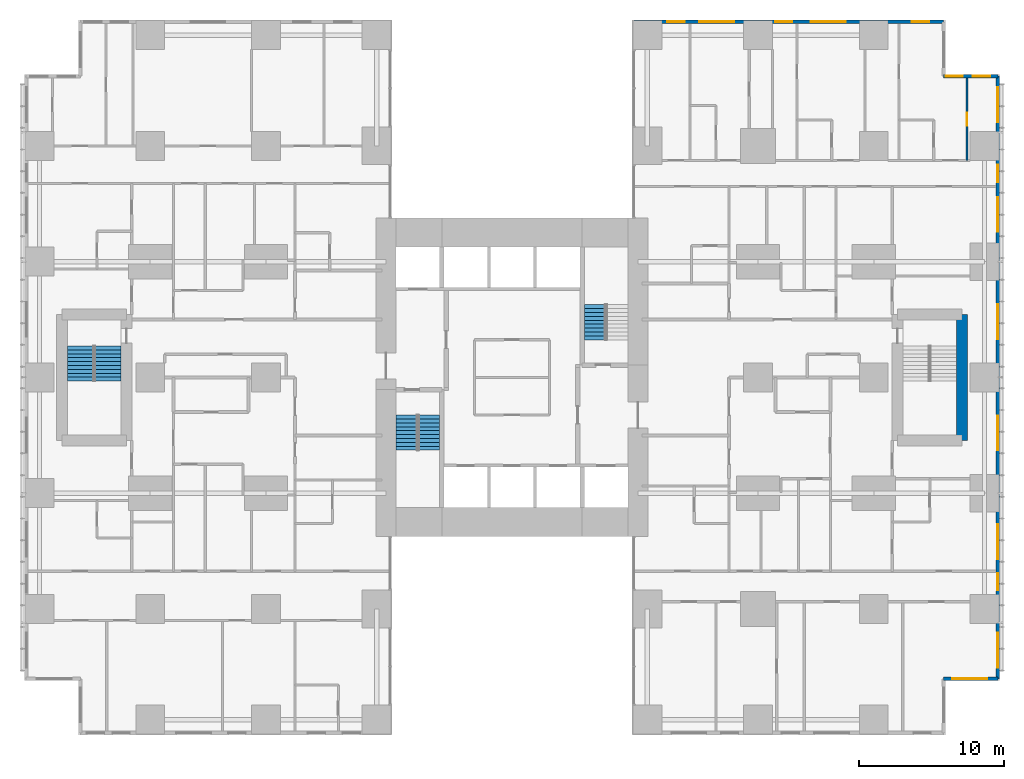
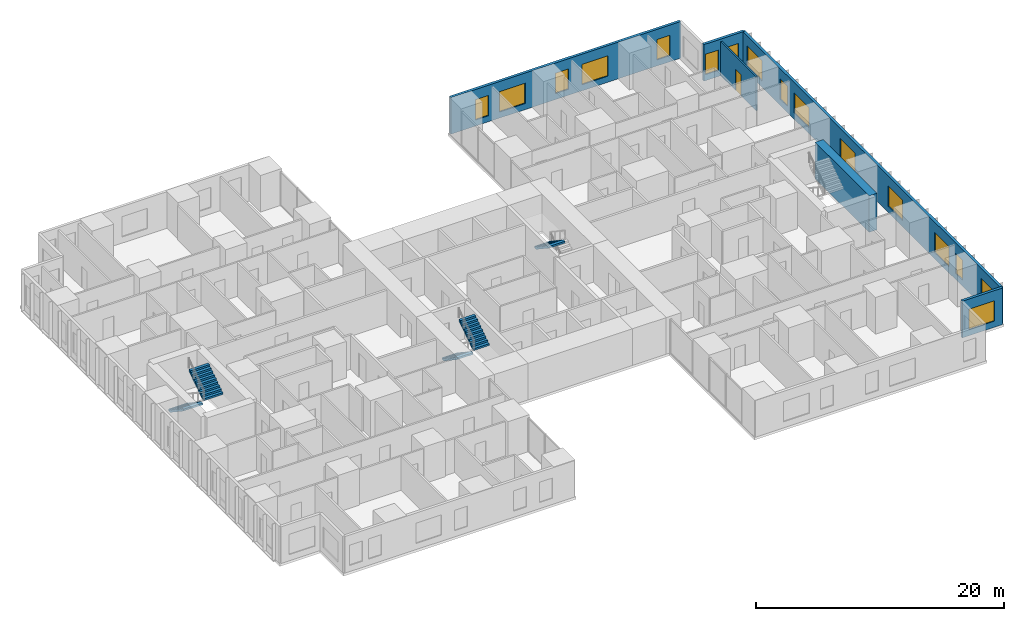
# One storey, part 19 of 21: 16 windows, 6 walls, 5 stair flights, 1 door, 17 openings, 3 elements without a shape of their own.
"""IFC4 building model written with IfcOpenShell, lengths in metres."""

from ifc_helpers import new_model, si_unit, direction, frame, frame_2d, origin, place, context, subcontext, project, spatial, polyline, rectangle, outline, extrude, material, layer, layer_set, type_object, element, fill, aggregate, save


model = new_model("IFC4")

# Units and contexts
model_context = context("Model", 3, precision=1e-05, world=origin(), true_north=direction((0.0, 1.0)))
body_context = subcontext(model_context, "Body", "Model", "MODEL_VIEW")
ifc_project = project(units=[si_unit("LENGTHUNIT", "METRE"), si_unit("AREAUNIT", "SQUARE_METRE"), si_unit("VOLUMEUNIT", "CUBIC_METRE"), si_unit("PLANEANGLEUNIT", "RADIAN"), si_unit("MASSUNIT", "GRAM", prefix="KILO")], contexts=[model_context])

# Site, building, storey
site_placement = place(None, origin())
site = spatial("IfcSite", under=ifc_project, at=site_placement, CompositionType="ELEMENT")
building_placement = place(site_placement, origin())
building = spatial("IfcBuilding", under=site, at=building_placement, Name="Cleftline Residences", CompositionType="ELEMENT")
storey_placement = place(building_placement, frame((0.0, 0.0, 58.39990234375)))
storey = spatial("IfcBuildingStorey", under=building, at=storey_placement, Name="L14", CompositionType="ELEMENT", Elevation=58.39990234375)

# Wall, opening, window
ifc_material_1 = material(Name="Rendered reinforced concrete blockwork", Category="masonry")
ifc_layer_1 = layer(ifc_material_1, 0.25)
ifc_layer_set_1 = layer_set([ifc_layer_1], Name="EXTERNAL WALL 250")
wall_type_1 = type_object("IfcWallType", Name="EXTERNAL WALL 250", PredefinedType="SOLIDWALL", material=ifc_layer_set_1)
wall_1_placement = place(storey_placement, frame((62.824951171875, 3.175048828125, 0.0), z_axis=(0.0, 0.0, 1.0), x_axis=(1.0, 0.0, 0.0)))
wall_1 = element("IfcWall", 1, at=wall_1_placement, inside=storey, type_object=wall_type_1, Name="External wall", PredefinedType="SOLIDWALL", context=body_context, shape_type="SweptSolid", body=[
    extrude(rectangle(XDim=3.75, YDim=0.25, at=frame_2d((1.875, 0.0))), origin(), (0.0, 0.0, 1.0), 3.60009765625),
])
opening_1_placement = place(wall_1_placement, frame((0.612548828125, 0.0, 0.60009765625)))
opening_1 = element("IfcOpeningElement", 2, at=opening_1_placement, cuts=wall_1, Name="Opening W6", PredefinedType="OPENING", context=body_context, shape_type="SweptSolid", body=[
    extrude(rectangle(XDim=2.39990234375, YDim=2.0, at=frame_2d((1.199951171875, 1.0))), frame((0.0, 0.135009765625, 0.0), z_axis=(0.0, -1.0, 0.0), x_axis=(1.0, 0.0, 0.0)), (0.0, 0.0, 1.0), 0.27001953125),
])
ifc_material_2 = material(Name="Aluminium frame, clear double glazing", Category="aluminium")
window_type_1 = type_object("IfcWindowType", Name="WINDOW 2400X2000", PartitioningType="DOUBLE_PANEL_VERTICAL", PredefinedType="WINDOW", material=ifc_material_2)
window_1_placement = place(opening_1_placement, origin())
window_1 = element("IfcWindow", 3, at=window_1_placement, inside=storey, type_object=window_type_1, Name="Window", OverallHeight=2.0, OverallWidth=2.39990234375, PartitioningType="SINGLE_PANEL", PredefinedType="WINDOW", context=body_context, shape_type="SweptSolid", body=[
    extrude(rectangle(XDim=2.39990234375, YDim=2.0, at=frame_2d((1.199951171875, 1.0))), frame((0.0, 0.030029296875, 0.0), z_axis=(0.0, -1.0, 0.0), x_axis=(1.0, 0.0, 0.0)), (0.0, 0.0, 1.0), 0.06005859375),
])
fill(opening_1, window_1)

# Wall, openings, windows
wall_2_placement = place(storey_placement, frame((66.574951171875, 3.175048828125, 0.0), z_axis=(0.0, 0.0, 1.0), x_axis=(0.0, 1.0, 0.0)))
wall_2 = element("IfcWall", 4, at=wall_2_placement, inside=storey, type_object=wall_type_1, Name="External wall", PredefinedType="SOLIDWALL", context=body_context, shape_type="SweptSolid", body=[
    extrude(rectangle(XDim=41.64990234375, YDim=0.25, at=frame_2d((20.824951171875, 0.0))), origin(), (0.0, 0.0, 1.0), 3.60009765625),
])
opening_2_placement = place(wall_2_placement, frame((0.77490234375, 0.0, 0.60009765625)))
opening_2 = element("IfcOpeningElement", 5, at=opening_2_placement, cuts=wall_2, Name="Opening W6", PredefinedType="OPENING", context=body_context, shape_type="SweptSolid", body=[
    extrude(rectangle(XDim=2.39990234375, YDim=2.0, at=frame_2d((1.199951171875, 1.0))), frame((0.0, 0.135009765625, 0.0), z_axis=(0.0, -1.0, 0.0), x_axis=(1.0, 0.0, 0.0)), (0.0, 0.0, 1.0), 0.27001953125),
])
opening_3_placement = place(wall_2_placement, frame((6.10009765625, 0.0, 0.60009765625)))
opening_3 = element("IfcOpeningElement", 6, at=opening_3_placement, cuts=wall_2, Name="Opening W8", PredefinedType="OPENING", context=body_context, shape_type="SweptSolid", body=[
    extrude(rectangle(XDim=1.199951171875, YDim=2.0, at=frame_2d((0.60009765625, 1.0))), frame((0.0, 0.135009765625, 0.0), z_axis=(0.0, -1.0, 0.0), x_axis=(1.0, 0.0, 0.0)), (0.0, 0.0, 1.0), 0.27001953125),
])
opening_4_placement = place(wall_2_placement, frame((8.27490234375, 0.0, 0.60009765625)))
opening_4 = element("IfcOpeningElement", 7, at=opening_4_placement, cuts=wall_2, Name="Opening W6", PredefinedType="OPENING", context=body_context, shape_type="SweptSolid", body=[
    extrude(rectangle(XDim=2.39990234375, YDim=2.0, at=frame_2d((1.199951171875, 1.0))), frame((0.0, 0.135009765625, 0.0), z_axis=(0.0, -1.0, 0.0), x_axis=(1.0, 0.0, 0.0)), (0.0, 0.0, 1.0), 0.27001953125),
])
opening_5_placement = place(wall_2_placement, frame((15.77490234375, 0.0, 0.60009765625)))
opening_5 = element("IfcOpeningElement", 8, at=opening_5_placement, cuts=wall_2, Name="Opening W6", PredefinedType="OPENING", context=body_context, shape_type="SweptSolid", body=[
    extrude(rectangle(XDim=2.39990234375, YDim=2.0, at=frame_2d((1.199951171875, 1.0))), frame((0.0, 0.135009765625, 0.0), z_axis=(0.0, -1.0, 0.0), x_axis=(1.0, 0.0, 0.0)), (0.0, 0.0, 1.0), 0.27001953125),
])
opening_6_placement = place(wall_2_placement, frame((23.47509765625, 0.0, 0.60009765625)))
opening_6 = element("IfcOpeningElement", 9, at=opening_6_placement, cuts=wall_2, Name="Opening W6", PredefinedType="OPENING", context=body_context, shape_type="SweptSolid", body=[
    extrude(rectangle(XDim=2.39990234375, YDim=2.0, at=frame_2d((1.199951171875, 1.0))), frame((0.0, 0.135009765625, 0.0), z_axis=(0.0, -1.0, 0.0), x_axis=(1.0, 0.0, 0.0)), (0.0, 0.0, 1.0), 0.27001953125),
])
opening_7_placement = place(wall_2_placement, frame((30.875, 0.0, 0.60009765625)))
opening_7 = element("IfcOpeningElement", 10, at=opening_7_placement, cuts=wall_2, Name="Opening W6", PredefinedType="OPENING", context=body_context, shape_type="SweptSolid", body=[
    extrude(rectangle(XDim=2.39990234375, YDim=2.0, at=frame_2d((1.199951171875, 1.0))), frame((0.0, 0.135009765625, 0.0), z_axis=(0.0, -1.0, 0.0), x_axis=(1.0, 0.0, 0.0)), (0.0, 0.0, 1.0), 0.27001953125),
])
opening_8_placement = place(wall_2_placement, frame((34.324951171875, 0.0, 0.60009765625)))
opening_8 = element("IfcOpeningElement", 11, at=opening_8_placement, cuts=wall_2, Name="Opening W8", PredefinedType="OPENING", context=body_context, shape_type="SweptSolid", body=[
    extrude(rectangle(XDim=1.199951171875, YDim=2.0, at=frame_2d((0.60009765625, 1.0))), frame((0.0, 0.135009765625, 0.0), z_axis=(0.0, -1.0, 0.0), x_axis=(1.0, 0.0, 0.0)), (0.0, 0.0, 1.0), 0.27001953125),
])
opening_9_placement = place(wall_2_placement, frame((38.47509765625, 0.0, 0.60009765625)))
opening_9 = element("IfcOpeningElement", 12, at=opening_9_placement, cuts=wall_2, Name="Opening W6", PredefinedType="OPENING", context=body_context, shape_type="SweptSolid", body=[
    extrude(rectangle(XDim=2.39990234375, YDim=2.0, at=frame_2d((1.199951171875, 1.0))), frame((0.0, 0.135009765625, 0.0), z_axis=(0.0, -1.0, 0.0), x_axis=(1.0, 0.0, 0.0)), (0.0, 0.0, 1.0), 0.27001953125),
])
ifc_material_3 = material(Name="Aluminium frame, clear double glazing", Category="aluminium")
window_type_2 = type_object("IfcWindowType", Name="WINDOW 1200X2000", PartitioningType="DOUBLE_PANEL_VERTICAL", PredefinedType="WINDOW", material=ifc_material_3)
window_2_placement = place(opening_3_placement, origin())
window_2 = element("IfcWindow", 13, at=window_2_placement, inside=storey, type_object=window_type_2, Name="Window", OverallHeight=2.0, OverallWidth=1.199951171875, PartitioningType="SINGLE_PANEL", PredefinedType="WINDOW", context=body_context, shape_type="SweptSolid", body=[
    extrude(rectangle(XDim=1.199951171875, YDim=2.0, at=frame_2d((0.60009765625, 1.0))), frame((0.0, 0.030029296875, 0.0), z_axis=(0.0, -1.0, 0.0), x_axis=(1.0, 0.0, 0.0)), (0.0, 0.0, 1.0), 0.06005859375),
])
fill(opening_3, window_2)
window_3_placement = place(opening_8_placement, origin())
window_3 = element("IfcWindow", 14, at=window_3_placement, inside=storey, type_object=window_type_2, Name="Window", OverallHeight=2.0, OverallWidth=1.199951171875, PartitioningType="SINGLE_PANEL", PredefinedType="WINDOW", context=body_context, shape_type="SweptSolid", body=[
    extrude(rectangle(XDim=1.199951171875, YDim=2.0, at=frame_2d((0.60009765625, 1.0))), frame((0.0, 0.030029296875, 0.0), z_axis=(0.0, -1.0, 0.0), x_axis=(1.0, 0.0, 0.0)), (0.0, 0.0, 1.0), 0.06005859375),
])
fill(opening_8, window_3)
window_4_placement = place(opening_2_placement, origin())
window_4 = element("IfcWindow", 15, at=window_4_placement, inside=storey, type_object=window_type_1, Name="Window", OverallHeight=2.0, OverallWidth=2.39990234375, PartitioningType="SINGLE_PANEL", PredefinedType="WINDOW", context=body_context, shape_type="SweptSolid", body=[
    extrude(rectangle(XDim=2.39990234375, YDim=2.0, at=frame_2d((1.199951171875, 1.0))), frame((0.0, 0.030029296875, 0.0), z_axis=(0.0, -1.0, 0.0), x_axis=(1.0, 0.0, 0.0)), (0.0, 0.0, 1.0), 0.06005859375),
])
fill(opening_2, window_4)
window_5_placement = place(opening_4_placement, origin())
window_5 = element("IfcWindow", 16, at=window_5_placement, inside=storey, type_object=window_type_1, Name="Window", OverallHeight=2.0, OverallWidth=2.39990234375, PartitioningType="SINGLE_PANEL", PredefinedType="WINDOW", context=body_context, shape_type="SweptSolid", body=[
    extrude(rectangle(XDim=2.39990234375, YDim=2.0, at=frame_2d((1.199951171875, 1.0))), frame((0.0, 0.030029296875, 0.0), z_axis=(0.0, -1.0, 0.0), x_axis=(1.0, 0.0, 0.0)), (0.0, 0.0, 1.0), 0.06005859375),
])
fill(opening_4, window_5)
window_6_placement = place(opening_5_placement, origin())
window_6 = element("IfcWindow", 17, at=window_6_placement, inside=storey, type_object=window_type_1, Name="Window", OverallHeight=2.0, OverallWidth=2.39990234375, PartitioningType="SINGLE_PANEL", PredefinedType="WINDOW", context=body_context, shape_type="SweptSolid", body=[
    extrude(rectangle(XDim=2.39990234375, YDim=2.0, at=frame_2d((1.199951171875, 1.0))), frame((0.0, 0.030029296875, 0.0), z_axis=(0.0, -1.0, 0.0), x_axis=(1.0, 0.0, 0.0)), (0.0, 0.0, 1.0), 0.06005859375),
])
fill(opening_5, window_6)
window_7_placement = place(opening_6_placement, origin())
window_7 = element("IfcWindow", 18, at=window_7_placement, inside=storey, type_object=window_type_1, Name="Window", OverallHeight=2.0, OverallWidth=2.39990234375, PartitioningType="SINGLE_PANEL", PredefinedType="WINDOW", context=body_context, shape_type="SweptSolid", body=[
    extrude(rectangle(XDim=2.39990234375, YDim=2.0, at=frame_2d((1.199951171875, 1.0))), frame((0.0, 0.030029296875, 0.0), z_axis=(0.0, -1.0, 0.0), x_axis=(1.0, 0.0, 0.0)), (0.0, 0.0, 1.0), 0.06005859375),
])
fill(opening_6, window_7)
window_8_placement = place(opening_7_placement, origin())
window_8 = element("IfcWindow", 19, at=window_8_placement, inside=storey, type_object=window_type_1, Name="Window", OverallHeight=2.0, OverallWidth=2.39990234375, PartitioningType="SINGLE_PANEL", PredefinedType="WINDOW", context=body_context, shape_type="SweptSolid", body=[
    extrude(rectangle(XDim=2.39990234375, YDim=2.0, at=frame_2d((1.199951171875, 1.0))), frame((0.0, 0.030029296875, 0.0), z_axis=(0.0, -1.0, 0.0), x_axis=(1.0, 0.0, 0.0)), (0.0, 0.0, 1.0), 0.06005859375),
])
fill(opening_7, window_8)
window_9_placement = place(opening_9_placement, origin())
window_9 = element("IfcWindow", 20, at=window_9_placement, inside=storey, type_object=window_type_1, Name="Window", OverallHeight=2.0, OverallWidth=2.39990234375, PartitioningType="SINGLE_PANEL", PredefinedType="WINDOW", context=body_context, shape_type="SweptSolid", body=[
    extrude(rectangle(XDim=2.39990234375, YDim=2.0, at=frame_2d((1.199951171875, 1.0))), frame((0.0, 0.030029296875, 0.0), z_axis=(0.0, -1.0, 0.0), x_axis=(1.0, 0.0, 0.0)), (0.0, 0.0, 1.0), 0.06005859375),
])
fill(opening_9, window_9)

wall_3_placement = place(storey_placement, frame((66.574951171875, 44.824951171875, 0.0), z_axis=(0.0, 0.0, 1.0), x_axis=(-1.0, 0.0, 0.0)))
wall_3 = element("IfcWall", 21, at=wall_3_placement, inside=storey, type_object=wall_type_1, Name="External wall", PredefinedType="SOLIDWALL", context=body_context, shape_type="SweptSolid", body=[
    extrude(rectangle(XDim=3.75, YDim=0.25, at=frame_2d((1.875, 0.0))), origin(), (0.0, 0.0, 1.0), 3.60009765625),
])
opening_10_placement = place(wall_3_placement, frame((0.52490234375, 0.0, 0.60009765625)))
opening_10 = element("IfcOpeningElement", 22, at=opening_10_placement, cuts=wall_3, Name="Opening W8", PredefinedType="OPENING", context=body_context, shape_type="SweptSolid", body=[
    extrude(rectangle(XDim=1.199951171875, YDim=2.0, at=frame_2d((0.60009765625, 1.0))), frame((0.0, 0.135009765625, 0.0), z_axis=(0.0, -1.0, 0.0), x_axis=(1.0, 0.0, 0.0)), (0.0, 0.0, 1.0), 0.27001953125),
])
opening_11_placement = place(wall_3_placement, frame((2.41259765625, 0.0, 0.60009765625)))
opening_11 = element("IfcOpeningElement", 23, at=opening_11_placement, cuts=wall_3, Name="Opening W8", PredefinedType="OPENING", context=body_context, shape_type="SweptSolid", body=[
    extrude(rectangle(XDim=1.199951171875, YDim=2.0, at=frame_2d((0.60009765625, 1.0))), frame((0.0, 0.135009765625, 0.0), z_axis=(0.0, -1.0, 0.0), x_axis=(1.0, 0.0, 0.0)), (0.0, 0.0, 1.0), 0.27001953125),
])
window_10_placement = place(opening_10_placement, origin())
window_10 = element("IfcWindow", 24, at=window_10_placement, inside=storey, type_object=window_type_2, Name="Window", OverallHeight=2.0, OverallWidth=1.199951171875, PartitioningType="SINGLE_PANEL", PredefinedType="WINDOW", context=body_context, shape_type="SweptSolid", body=[
    extrude(rectangle(XDim=1.199951171875, YDim=2.0, at=frame_2d((0.60009765625, 1.0))), frame((0.0, 0.030029296875, 0.0), z_axis=(0.0, -1.0, 0.0), x_axis=(1.0, 0.0, 0.0)), (0.0, 0.0, 1.0), 0.06005859375),
])
fill(opening_10, window_10)
window_11_placement = place(opening_11_placement, origin())
window_11 = element("IfcWindow", 25, at=window_11_placement, inside=storey, type_object=window_type_2, Name="Window", OverallHeight=2.0, OverallWidth=1.199951171875, PartitioningType="SINGLE_PANEL", PredefinedType="WINDOW", context=body_context, shape_type="SweptSolid", body=[
    extrude(rectangle(XDim=1.199951171875, YDim=2.0, at=frame_2d((0.60009765625, 1.0))), frame((0.0, 0.030029296875, 0.0), z_axis=(0.0, -1.0, 0.0), x_axis=(1.0, 0.0, 0.0)), (0.0, 0.0, 1.0), 0.06005859375),
])
fill(opening_11, window_11)

wall_4_placement = place(storey_placement, frame((62.824951171875, 48.574951171875, 0.0), z_axis=(0.0, 0.0, 1.0), x_axis=(-1.0, 0.0, 0.0)))
wall_4 = element("IfcWall", 26, at=wall_4_placement, inside=storey, type_object=wall_type_1, Name="External wall", PredefinedType="SOLIDWALL", context=body_context, shape_type="SweptSolid", body=[
    extrude(rectangle(XDim=21.39990234375, YDim=0.25, at=frame_2d((10.699951171875, 0.0))), origin(), (0.0, 0.0, 1.0), 3.60009765625),
])
opening_12_placement = place(wall_4_placement, frame((1.0, 0.0, 0.60009765625)))
opening_12 = element("IfcOpeningElement", 27, at=opening_12_placement, cuts=wall_4, Name="Opening W8", PredefinedType="OPENING", context=body_context, shape_type="SweptSolid", body=[
    extrude(rectangle(XDim=1.199951171875, YDim=2.0, at=frame_2d((0.60009765625, 1.0))), frame((0.0, 0.135009765625, 0.0), z_axis=(0.0, -1.0, 0.0), x_axis=(1.0, 0.0, 0.0)), (0.0, 0.0, 1.0), 0.27001953125),
])
opening_13_placement = place(wall_4_placement, frame((6.77490234375, 0.0, 0.60009765625)))
opening_13 = element("IfcOpeningElement", 28, at=opening_13_placement, cuts=wall_4, Name="Opening W6", PredefinedType="OPENING", context=body_context, shape_type="SweptSolid", body=[
    extrude(rectangle(XDim=2.39990234375, YDim=2.0, at=frame_2d((1.199951171875, 1.0))), frame((0.0, 0.135009765625, 0.0), z_axis=(0.0, -1.0, 0.0), x_axis=(1.0, 0.0, 0.0)), (0.0, 0.0, 1.0), 0.27001953125),
])
opening_14_placement = place(wall_4_placement, frame((10.449951171875, 0.0, 0.60009765625)))
opening_14 = element("IfcOpeningElement", 29, at=opening_14_placement, cuts=wall_4, Name="Opening W8", PredefinedType="OPENING", context=body_context, shape_type="SweptSolid", body=[
    extrude(rectangle(XDim=1.199951171875, YDim=2.0, at=frame_2d((0.60009765625, 1.0))), frame((0.0, 0.135009765625, 0.0), z_axis=(0.0, -1.0, 0.0), x_axis=(1.0, 0.0, 0.0)), (0.0, 0.0, 1.0), 0.27001953125),
])
opening_15_placement = place(wall_4_placement, frame((14.47509765625, 0.0, 0.60009765625)))
opening_15 = element("IfcOpeningElement", 30, at=opening_15_placement, cuts=wall_4, Name="Opening W6", PredefinedType="OPENING", context=body_context, shape_type="SweptSolid", body=[
    extrude(rectangle(XDim=2.39990234375, YDim=2.0, at=frame_2d((1.199951171875, 1.0))), frame((0.0, 0.135009765625, 0.0), z_axis=(0.0, -1.0, 0.0), x_axis=(1.0, 0.0, 0.0)), (0.0, 0.0, 1.0), 0.27001953125),
])
opening_16_placement = place(wall_4_placement, frame((17.89990234375, 0.0, 0.60009765625)))
opening_16 = element("IfcOpeningElement", 31, at=opening_16_placement, cuts=wall_4, Name="Opening W8", PredefinedType="OPENING", context=body_context, shape_type="SweptSolid", body=[
    extrude(rectangle(XDim=1.199951171875, YDim=2.0, at=frame_2d((0.60009765625, 1.0))), frame((0.0, 0.135009765625, 0.0), z_axis=(0.0, -1.0, 0.0), x_axis=(1.0, 0.0, 0.0)), (0.0, 0.0, 1.0), 0.27001953125),
])
window_12_placement = place(opening_12_placement, origin())
window_12 = element("IfcWindow", 32, at=window_12_placement, inside=storey, type_object=window_type_2, Name="Window", OverallHeight=2.0, OverallWidth=1.199951171875, PartitioningType="SINGLE_PANEL", PredefinedType="WINDOW", context=body_context, shape_type="SweptSolid", body=[
    extrude(rectangle(XDim=1.199951171875, YDim=2.0, at=frame_2d((0.60009765625, 1.0))), frame((0.0, 0.030029296875, 0.0), z_axis=(0.0, -1.0, 0.0), x_axis=(1.0, 0.0, 0.0)), (0.0, 0.0, 1.0), 0.06005859375),
])
fill(opening_12, window_12)
window_13_placement = place(opening_14_placement, origin())
window_13 = element("IfcWindow", 33, at=window_13_placement, inside=storey, type_object=window_type_2, Name="Window", OverallHeight=2.0, OverallWidth=1.199951171875, PartitioningType="SINGLE_PANEL", PredefinedType="WINDOW", context=body_context, shape_type="SweptSolid", body=[
    extrude(rectangle(XDim=1.199951171875, YDim=2.0, at=frame_2d((0.60009765625, 1.0))), frame((0.0, 0.030029296875, 0.0), z_axis=(0.0, -1.0, 0.0), x_axis=(1.0, 0.0, 0.0)), (0.0, 0.0, 1.0), 0.06005859375),
])
fill(opening_14, window_13)
window_14_placement = place(opening_16_placement, origin())
window_14 = element("IfcWindow", 34, at=window_14_placement, inside=storey, type_object=window_type_2, Name="Window", OverallHeight=2.0, OverallWidth=1.199951171875, PartitioningType="SINGLE_PANEL", PredefinedType="WINDOW", context=body_context, shape_type="SweptSolid", body=[
    extrude(rectangle(XDim=1.199951171875, YDim=2.0, at=frame_2d((0.60009765625, 1.0))), frame((0.0, 0.030029296875, 0.0), z_axis=(0.0, -1.0, 0.0), x_axis=(1.0, 0.0, 0.0)), (0.0, 0.0, 1.0), 0.06005859375),
])
fill(opening_16, window_14)
window_15_placement = place(opening_13_placement, origin())
window_15 = element("IfcWindow", 35, at=window_15_placement, inside=storey, type_object=window_type_1, Name="Window", OverallHeight=2.0, OverallWidth=2.39990234375, PartitioningType="SINGLE_PANEL", PredefinedType="WINDOW", context=body_context, shape_type="SweptSolid", body=[
    extrude(rectangle(XDim=2.39990234375, YDim=2.0, at=frame_2d((1.199951171875, 1.0))), frame((0.0, 0.030029296875, 0.0), z_axis=(0.0, -1.0, 0.0), x_axis=(1.0, 0.0, 0.0)), (0.0, 0.0, 1.0), 0.06005859375),
])
fill(opening_13, window_15)
window_16_placement = place(opening_15_placement, origin())
window_16 = element("IfcWindow", 36, at=window_16_placement, inside=storey, type_object=window_type_1, Name="Window", OverallHeight=2.0, OverallWidth=2.39990234375, PartitioningType="SINGLE_PANEL", PredefinedType="WINDOW", context=body_context, shape_type="SweptSolid", body=[
    extrude(rectangle(XDim=2.39990234375, YDim=2.0, at=frame_2d((1.199951171875, 1.0))), frame((0.0, 0.030029296875, 0.0), z_axis=(0.0, -1.0, 0.0), x_axis=(1.0, 0.0, 0.0)), (0.0, 0.0, 1.0), 0.06005859375),
])
fill(opening_15, window_16)

# Wall, opening, door
ifc_material_4 = material(Name="Gypsum board on steel studs", Category="steel")
ifc_layer_2 = layer(ifc_material_4, 0.14990234375)
ifc_layer_set_2 = layer_set([ifc_layer_2], Name="PARTITION 150")
wall_type_2 = type_object("IfcWallType", Name="PARTITION 150", PredefinedType="PARTITIONING", material=ifc_layer_set_2)
wall_5_placement = place(storey_placement, frame((64.449951171875, 39.0, 0.0), z_axis=(0.0, 0.0, 1.0), x_axis=(0.0, 1.0, 0.0)))
wall_5 = element("IfcWall", 37, at=wall_5_placement, inside=storey, type_object=wall_type_2, Name="Partition", PredefinedType="PARTITIONING", context=body_context, shape_type="SweptSolid", body=[
    extrude(rectangle(XDim=5.699951171875, YDim=0.14990234375, at=frame_2d((2.85009765625, 0.0))), origin(), (0.0, 0.0, 1.0), 3.35009765625),
])
opening_17_placement = place(wall_5_placement, frame((2.39990234375, 0.0, 0.0)))
opening_17 = element("IfcOpeningElement", 38, at=opening_17_placement, cuts=wall_5, Name="Opening D1", PredefinedType="OPENING", context=body_context, shape_type="SweptSolid", body=[
    extrude(rectangle(XDim=0.89990234375, YDim=2.10009765625, at=frame_2d((0.449951171875, 1.050048828125))), frame((0.0, 0.0849609375, 0.0), z_axis=(0.0, -1.0, 0.0), x_axis=(1.0, 0.0, 0.0)), (0.0, 0.0, 1.0), 0.169921875),
])
ifc_material_5 = material(Name="Timber veneer on solid core", Category="wood")
door_type = type_object("IfcDoorType", Name="DOOR 900X2100", OperationType="SINGLE_SWING_LEFT", PredefinedType="DOOR", material=ifc_material_5)
door_placement = place(opening_17_placement, origin())
door = element("IfcDoor", 39, at=door_placement, inside=storey, type_object=door_type, Name="Door to walk-in wardrobe", OperationType="SINGLE_SWING_LEFT", OverallHeight=2.10009765625, OverallWidth=0.89990234375, PredefinedType="DOOR", context=body_context, shape_type="SweptSolid", body=[
    extrude(rectangle(XDim=0.89990234375, YDim=2.10009765625, at=frame_2d((0.449951171875, 1.050048828125))), frame((0.0, 0.02490234375, 0.0), z_axis=(0.0, -1.0, 0.0), x_axis=(1.0, 0.0, 0.0)), (0.0, 0.0, 1.0), 0.050048828125),
])
fill(opening_17, door)

# Wall
ifc_material_6 = material(Name="Concrete B70", Category="concrete")
ifc_layer_3 = layer(ifc_material_6, 0.75)
ifc_layer_set_3 = layer_set([ifc_layer_3], Name="SHEAR WALL 750")
wall_type_3 = type_object("IfcWallType", Name="SHEAR WALL 750", PredefinedType="SHEAR", material=ifc_layer_set_3)
wall_6_placement = place(storey_placement, frame((64.10009765625, 19.64990234375, 0.0), z_axis=(0.0, 0.0, 1.0), x_axis=(0.0, 1.0, 0.0)))
element("IfcWall", 40, at=wall_6_placement, inside=storey, type_object=wall_type_3, Name="Wing shear wall", PredefinedType="SHEAR", context=body_context, shape_type="SweptSolid", body=[
    extrude(rectangle(XDim=8.7001953125, YDim=0.75, at=frame_2d((4.35009765625, 0.0))), origin(), (0.0, 0.0, 1.0), 3.60009765625),
])

# Stair, stair flights
ifc_material_7 = material(Name="Concrete B45, stone treads", Category="masonry")
stair_type_1 = type_object("IfcStairType", Name="STAIR A 1450 WIDE 180 RISER", PredefinedType="HALF_TURN_STAIR", material=ifc_material_7)
stair_1_placement = place(storey_placement, origin())
stair_1 = element("IfcStair", 41, at=stair_1_placement, inside=storey, type_object=stair_type_1, Name="Stair A L14", PredefinedType="HALF_TURN_STAIR")
ifc_material_8 = material(Name="Concrete B45", Category="concrete")
stair_flight_type_1 = type_object("IfcStairFlightType", Name="STAIR A FLIGHT 1450X180", PredefinedType="STRAIGHT", material=ifc_material_8)
stair_flight_1_placement = place(storey_placement, frame((25.72509765625, 21.39990234375, 0.0), z_axis=(0.0, 0.0, 1.0), x_axis=(0.0, -1.0, 0.0)))
stair_flight_1 = element("IfcStairFlight", 42, at=stair_flight_1_placement, type_object=stair_flight_type_1, Name="ST-A flight 1", NumberOfRisers=10, NumberOfTreads=9, PredefinedType="STRAIGHT", RiserHeight=0.18, TreadLength=0.27, context=body_context, shape_type="SweptSolid", body=[
    extrude(outline(polyline([(0.0, 0.0), (0.0, 0.013916015625), (0.0, 0.027587890625), (0.0, 0.04150390625), (0.0, 0.055419921875), (0.0, 0.0693359375), (0.0, 0.0830078125), (0.0, 0.096923828125), (0.0, 0.11083984375), (0.0, 0.12451171875), (0.0, 0.138427734375), (0.0, 0.15234375), (0.0, 0.166259765625), (0.0, 0.179931640625), (0.27001953125, 0.179931640625), (0.27001953125, 0.360107421875), (0.5400390625, 0.360107421875), (0.5400390625, 0.5400390625), (0.81005859375, 0.5400390625), (0.81005859375, 0.719970703125), (1.080078125, 0.719970703125), (1.080078125, 0.89990234375), (1.35009765625, 0.89990234375), (1.35009765625, 1.080078125), (1.6201171875, 1.080078125), (1.6201171875, 1.260009765625), (1.889892578125, 1.260009765625), (1.889892578125, 1.43994140625), (2.159912109375, 1.43994140625), (2.159912109375, 1.6201171875), (2.429931640625, 1.6201171875), (2.429931640625, 1.800048828125), (2.429931640625, 1.772216796875), (2.429931640625, 1.74462890625), (2.429931640625, 1.716796875), (2.429931640625, 1.689208984375), (2.429931640625, 1.661376953125), (2.429931640625, 1.6337890625), (2.429931640625, 1.60595703125), (2.429931640625, 1.578369140625), (2.429931640625, 1.550537109375), (2.429931640625, 1.52294921875), (2.429931640625, 1.495361328125), (2.429931640625, 1.467529296875), (2.429931640625, 1.43994140625), (0.270263671875, 0.0), (0.0, 0.0)])), frame((0.0, 0.72509765625, 0.0), z_axis=(0.0, -1.0, 0.0), x_axis=(1.0, 0.0, 0.0)), (0.0, 0.0, 1.0), 1.449951171875),
])
stair_flight_2_placement = place(storey_placement, frame((27.27490234375, 18.969970703125, 1.800048828125), z_axis=(0.0, 0.0, 1.0), x_axis=(0.0, 1.0, 0.0)))
stair_flight_2 = element("IfcStairFlight", 43, at=stair_flight_2_placement, type_object=stair_flight_type_1, Name="ST-A flight 2", NumberOfRisers=10, NumberOfTreads=9, PredefinedType="STRAIGHT", RiserHeight=0.18, TreadLength=0.27, context=body_context, shape_type="SweptSolid", body=[
    extrude(outline(polyline([(0.0, 0.0), (0.0, 0.013916015625), (0.0, 0.027587890625), (0.0, 0.04150390625), (0.0, 0.055419921875), (0.0, 0.0693359375), (0.0, 0.0830078125), (0.0, 0.096923828125), (0.0, 0.11083984375), (0.0, 0.12451171875), (0.0, 0.138427734375), (0.0, 0.15234375), (0.0, 0.166259765625), (0.0, 0.179931640625), (0.27001953125, 0.179931640625), (0.27001953125, 0.360107421875), (0.5400390625, 0.360107421875), (0.5400390625, 0.5400390625), (0.81005859375, 0.5400390625), (0.81005859375, 0.719970703125), (1.080078125, 0.719970703125), (1.080078125, 0.89990234375), (1.35009765625, 0.89990234375), (1.35009765625, 1.080078125), (1.6201171875, 1.080078125), (1.6201171875, 1.260009765625), (1.889892578125, 1.260009765625), (1.889892578125, 1.43994140625), (2.159912109375, 1.43994140625), (2.159912109375, 1.6201171875), (2.429931640625, 1.6201171875), (2.429931640625, 1.800048828125), (2.429931640625, 1.772216796875), (2.429931640625, 1.74462890625), (2.429931640625, 1.716796875), (2.429931640625, 1.689208984375), (2.429931640625, 1.661376953125), (2.429931640625, 1.6337890625), (2.429931640625, 1.60595703125), (2.429931640625, 1.578369140625), (2.429931640625, 1.550537109375), (2.429931640625, 1.52294921875), (2.429931640625, 1.495361328125), (2.429931640625, 1.467529296875), (2.429931640625, 1.43994140625), (0.270263671875, 0.0), (0.0, 0.0)])), frame((0.0, 0.72509765625, 0.0), z_axis=(0.0, -1.0, 0.0), x_axis=(1.0, 0.0, 0.0)), (0.0, 0.0, 1.0), 1.449951171875),
])
aggregate(stair_1, [stair_flight_1, stair_flight_2])

# Stair, stair flight
ifc_material_9 = material(Name="Concrete B45, stone treads", Category="masonry")
stair_type_2 = type_object("IfcStairType", Name="STAIR B 1450 WIDE 180 RISER", PredefinedType="HALF_TURN_STAIR", material=ifc_material_9)
stair_2_placement = place(storey_placement, origin())
stair_2 = element("IfcStair", 44, at=stair_2_placement, inside=storey, type_object=stair_type_2, Name="Stair B L14", PredefinedType="HALF_TURN_STAIR")
ifc_material_10 = material(Name="Concrete B45", Category="concrete")
stair_flight_type_2 = type_object("IfcStairFlightType", Name="STAIR B FLIGHT 1450X180", PredefinedType="STRAIGHT", material=ifc_material_10)
stair_flight_3_placement = place(storey_placement, frame((38.72509765625, 29.030029296875, 1.800048828125), z_axis=(0.0, 0.0, 1.0), x_axis=(0.0, -1.0, 0.0)))
stair_flight_3 = element("IfcStairFlight", 45, at=stair_flight_3_placement, type_object=stair_flight_type_2, Name="ST-B flight 2", NumberOfRisers=10, NumberOfTreads=9, PredefinedType="STRAIGHT", RiserHeight=0.18, TreadLength=0.27, context=body_context, shape_type="SweptSolid", body=[
    extrude(outline(polyline([(0.0, 0.0), (0.0, 0.013916015625), (0.0, 0.027587890625), (0.0, 0.04150390625), (0.0, 0.055419921875), (0.0, 0.0693359375), (0.0, 0.0830078125), (0.0, 0.096923828125), (0.0, 0.11083984375), (0.0, 0.12451171875), (0.0, 0.138427734375), (0.0, 0.15234375), (0.0, 0.166259765625), (0.0, 0.179931640625), (0.27001953125, 0.179931640625), (0.27001953125, 0.360107421875), (0.5400390625, 0.360107421875), (0.5400390625, 0.5400390625), (0.81005859375, 0.5400390625), (0.81005859375, 0.719970703125), (1.080078125, 0.719970703125), (1.080078125, 0.89990234375), (1.35009765625, 0.89990234375), (1.35009765625, 1.080078125), (1.6201171875, 1.080078125), (1.6201171875, 1.260009765625), (1.889892578125, 1.260009765625), (1.889892578125, 1.43994140625), (2.159912109375, 1.43994140625), (2.159912109375, 1.6201171875), (2.429931640625, 1.6201171875), (2.429931640625, 1.800048828125), (2.429931640625, 1.772216796875), (2.429931640625, 1.74462890625), (2.429931640625, 1.716796875), (2.429931640625, 1.689208984375), (2.429931640625, 1.661376953125), (2.429931640625, 1.6337890625), (2.429931640625, 1.60595703125), (2.429931640625, 1.578369140625), (2.429931640625, 1.550537109375), (2.429931640625, 1.52294921875), (2.429931640625, 1.495361328125), (2.429931640625, 1.467529296875), (2.429931640625, 1.43994140625), (0.270263671875, 0.0), (0.0, 0.0)])), frame((0.0, 0.72509765625, 0.0), z_axis=(0.0, -1.0, 0.0), x_axis=(1.0, 0.0, 0.0)), (0.0, 0.0, 1.0), 1.449951171875),
])
aggregate(stair_2, [stair_flight_3])

# Stair, stair flights
ifc_material_11 = material(Name="Concrete B45, stone treads", Category="masonry")
stair_type_3 = type_object("IfcStairType", Name="STAIR W 1800 WIDE 180 RISER", PredefinedType="HALF_TURN_STAIR", material=ifc_material_11)
stair_3_placement = place(storey_placement, origin())
stair_3 = element("IfcStair", 46, at=stair_3_placement, inside=storey, type_object=stair_type_3, Name="Stair W L14", PredefinedType="HALF_TURN_STAIR")
ifc_material_12 = material(Name="Concrete B45", Category="concrete")
stair_flight_type_3 = type_object("IfcStairFlightType", Name="STAIR W FLIGHT 1800X180", PredefinedType="STRAIGHT", material=ifc_material_12)
stair_flight_4_placement = place(storey_placement, frame((3.175048828125, 26.175048828125, 0.0), z_axis=(0.0, 0.0, 1.0), x_axis=(0.0, -1.0, 0.0)))
stair_flight_4 = element("IfcStairFlight", 47, at=stair_flight_4_placement, type_object=stair_flight_type_3, Name="ST-W flight 1", NumberOfRisers=10, NumberOfTreads=9, PredefinedType="STRAIGHT", RiserHeight=0.18, TreadLength=0.27, context=body_context, shape_type="SweptSolid", body=[
    extrude(outline(polyline([(0.0, 0.0), (0.0, 0.013916015625), (0.0, 0.027587890625), (0.0, 0.04150390625), (0.0, 0.055419921875), (0.0, 0.0693359375), (0.0, 0.0830078125), (0.0, 0.096923828125), (0.0, 0.11083984375), (0.0, 0.12451171875), (0.0, 0.138427734375), (0.0, 0.15234375), (0.0, 0.166259765625), (0.0, 0.179931640625), (0.27001953125, 0.179931640625), (0.27001953125, 0.360107421875), (0.5400390625, 0.360107421875), (0.5400390625, 0.5400390625), (0.81005859375, 0.5400390625), (0.81005859375, 0.719970703125), (1.080078125, 0.719970703125), (1.080078125, 0.89990234375), (1.35009765625, 0.89990234375), (1.35009765625, 1.080078125), (1.6201171875, 1.080078125), (1.6201171875, 1.260009765625), (1.889892578125, 1.260009765625), (1.889892578125, 1.43994140625), (2.159912109375, 1.43994140625), (2.159912109375, 1.6201171875), (2.429931640625, 1.6201171875), (2.429931640625, 1.800048828125), (2.429931640625, 1.772216796875), (2.429931640625, 1.74462890625), (2.429931640625, 1.716796875), (2.429931640625, 1.689208984375), (2.429931640625, 1.661376953125), (2.429931640625, 1.6337890625), (2.429931640625, 1.60595703125), (2.429931640625, 1.578369140625), (2.429931640625, 1.550537109375), (2.429931640625, 1.52294921875), (2.429931640625, 1.495361328125), (2.429931640625, 1.467529296875), (2.429931640625, 1.43994140625), (0.270263671875, 0.0), (0.0, 0.0)])), frame((0.0, 0.89990234375, 0.0), z_axis=(0.0, -1.0, 0.0), x_axis=(1.0, 0.0, 0.0)), (0.0, 0.0, 1.0), 1.800048828125),
])
stair_flight_5_placement = place(storey_placement, frame((5.074951171875, 23.7451171875, 1.800048828125), z_axis=(0.0, 0.0, 1.0), x_axis=(0.0, 1.0, 0.0)))
stair_flight_5 = element("IfcStairFlight", 48, at=stair_flight_5_placement, type_object=stair_flight_type_3, Name="ST-W flight 2", NumberOfRisers=10, NumberOfTreads=9, PredefinedType="STRAIGHT", RiserHeight=0.18, TreadLength=0.27, context=body_context, shape_type="SweptSolid", body=[
    extrude(outline(polyline([(0.0, 0.0), (0.0, 0.013916015625), (0.0, 0.027587890625), (0.0, 0.04150390625), (0.0, 0.055419921875), (0.0, 0.0693359375), (0.0, 0.0830078125), (0.0, 0.096923828125), (0.0, 0.11083984375), (0.0, 0.12451171875), (0.0, 0.138427734375), (0.0, 0.15234375), (0.0, 0.166259765625), (0.0, 0.179931640625), (0.27001953125, 0.179931640625), (0.27001953125, 0.360107421875), (0.5400390625, 0.360107421875), (0.5400390625, 0.5400390625), (0.81005859375, 0.5400390625), (0.81005859375, 0.719970703125), (1.080078125, 0.719970703125), (1.080078125, 0.89990234375), (1.35009765625, 0.89990234375), (1.35009765625, 1.080078125), (1.6201171875, 1.080078125), (1.6201171875, 1.260009765625), (1.889892578125, 1.260009765625), (1.889892578125, 1.43994140625), (2.159912109375, 1.43994140625), (2.159912109375, 1.6201171875), (2.429931640625, 1.6201171875), (2.429931640625, 1.800048828125), (2.429931640625, 1.772216796875), (2.429931640625, 1.74462890625), (2.429931640625, 1.716796875), (2.429931640625, 1.689208984375), (2.429931640625, 1.661376953125), (2.429931640625, 1.6337890625), (2.429931640625, 1.60595703125), (2.429931640625, 1.578369140625), (2.429931640625, 1.550537109375), (2.429931640625, 1.52294921875), (2.429931640625, 1.495361328125), (2.429931640625, 1.467529296875), (2.429931640625, 1.43994140625), (0.270263671875, 0.0), (0.0, 0.0)])), frame((0.0, 0.89990234375, 0.0), z_axis=(0.0, -1.0, 0.0), x_axis=(1.0, 0.0, 0.0)), (0.0, 0.0, 1.0), 1.800048828125),
])
aggregate(stair_3, [stair_flight_4, stair_flight_5])

save(model, "model.ifc")
